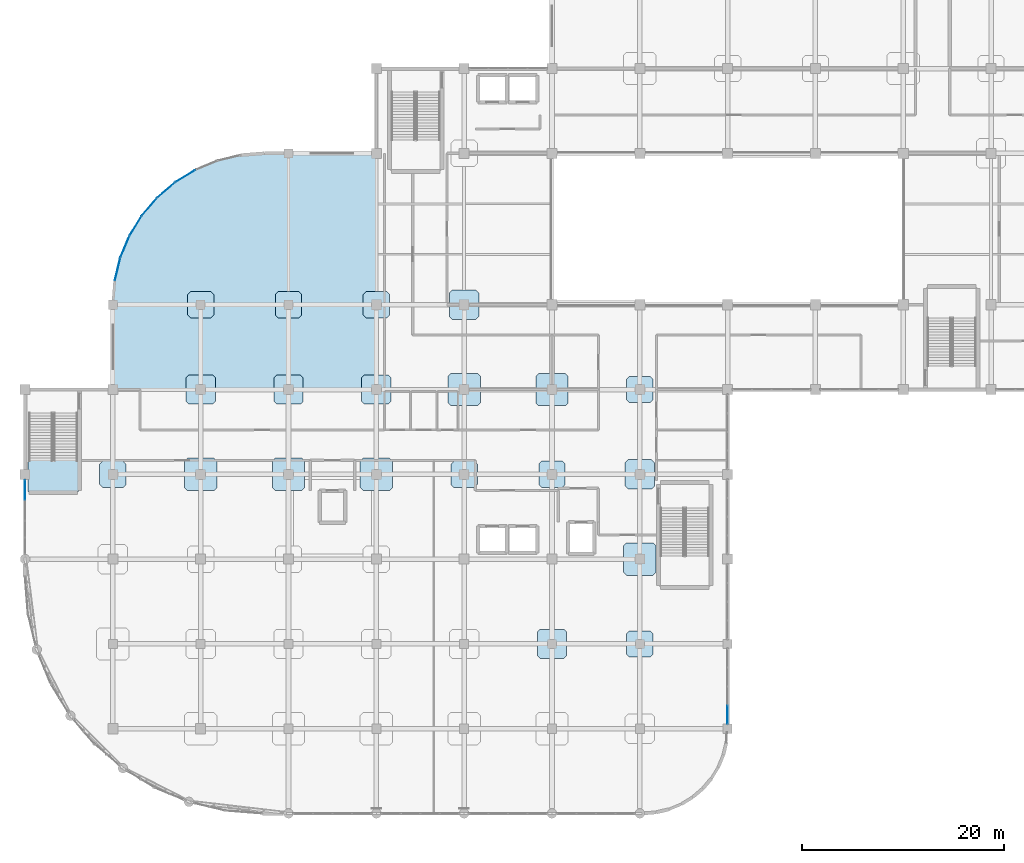
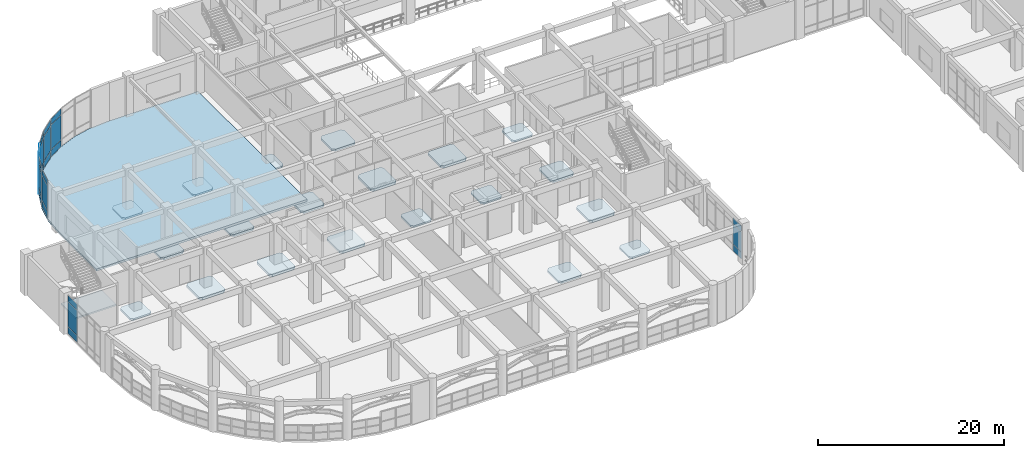
# One storey, part 81 of 114: 24 plates, 22 slabs, 9 elements without a shape of their own.
"""IFC4 building model written with IfcOpenShell, lengths in metres."""

from ifc_helpers import new_model, si_unit, derived_unit, direction, frame, origin, origin_2d, place, context, subcontext, project, spatial, polyline, rectangle, outline, extrude, material, layer, layer_set, type_object, element, aggregate, save


model = new_model("IFC4")

# Units and contexts
model_context = context("Model", 3, precision=1e-05, world=origin(), true_north=direction((0.0, 1.0)))
body_context = subcontext(model_context, "Body", "Model", "MODEL_VIEW")
ifc_project = project(units=[si_unit("LENGTHUNIT", "METRE"), si_unit("AREAUNIT", "SQUARE_METRE"), si_unit("VOLUMEUNIT", "CUBIC_METRE"), si_unit("PLANEANGLEUNIT", "RADIAN"), si_unit("MASSUNIT", "GRAM", prefix="KILO"), derived_unit("THERMALTRANSMITTANCEUNIT", [(si_unit("MASSUNIT", "GRAM", prefix="KILO"), 1), (si_unit("TIMEUNIT", "SECOND"), -3), (si_unit("THERMODYNAMICTEMPERATUREUNIT", "KELVIN"), -1)])], contexts=[model_context])

# Site, building, storey
site_placement = place(None, origin())
site = spatial("IfcSite", under=ifc_project, at=site_placement, CompositionType="ELEMENT")
building_placement = place(site_placement, origin())
building = spatial("IfcBuilding", under=site, at=building_placement, Name="Qinzheling Arcade Emporium", CompositionType="ELEMENT")
storey_placement = place(building_placement, frame((0.0, 0.0, 6.0)))
storey = spatial("IfcBuildingStorey", under=building, at=storey_placement, Name="L02", CompositionType="ELEMENT", Elevation=6.0)

# Slabs
ifc_material_1 = material(Name="Concrete C40", Category="concrete")
ifc_layer_1 = layer(ifc_material_1, 0.235107421875, Name="Concrete C40", Category="concrete")
ifc_layer_set_1 = layer_set([ifc_layer_1], Name="Concrete C40")
slab_type_1 = type_object("IfcSlabType", Name="Column Head Drop Panel 2600x2600x235 C40", PredefinedType="USERDEFINED", material=ifc_layer_set_1)
slab_1_placement = place(storey_placement, frame((0.0, 0.0, -0.514892578125)))
element("IfcSlab", 1, at=slab_1_placement, inside=storey, type_object=slab_type_1, Name="Column Drop Panel DP-L02-2-E", ObjectType="DROP_PANEL", PredefinedType="USERDEFINED", context=body_context, shape_type="SweptSolid", body=[
    extrude(outline(polyline([(7.679931640625, 32.300048828125), (9.719970703125, 32.300048828125), (10.0, 32.580078125), (10.0, 34.6201171875), (9.719970703125, 34.89990234375), (7.679931640625, 34.89990234375), (7.39990234375, 34.6201171875), (7.39990234375, 32.580078125), (7.679931640625, 32.300048828125)])), origin(), (0.0, 0.0, 1.0), 0.23486328125),
])
slab_2_placement = place(storey_placement, frame((0.0, 0.0, -0.514892578125)))
element("IfcSlab", 2, at=slab_2_placement, inside=storey, type_object=slab_type_1, Name="Column Drop Panel DP-L02-3-G", ObjectType="DROP_PANEL", PredefinedType="USERDEFINED", context=body_context, shape_type="SweptSolid", body=[
    extrude(outline(polyline([(16.3798828125, 49.10009765625), (18.419921875, 49.10009765625), (18.699951171875, 49.3798828125), (18.699951171875, 51.419921875), (18.419921875, 51.699951171875), (16.3798828125, 51.699951171875), (16.10009765625, 51.419921875), (16.10009765625, 49.3798828125), (16.3798828125, 49.10009765625)])), origin(), (0.0, 0.0, 1.0), 0.23486328125),
])
slab_3_placement = place(storey_placement, frame((0.0, 0.0, -0.514892578125)))
element("IfcSlab", 3, at=slab_3_placement, inside=storey, type_object=slab_type_1, Name="Column Drop Panel DP-L02-4-G", ObjectType="DROP_PANEL", PredefinedType="USERDEFINED", context=body_context, shape_type="SweptSolid", body=[
    extrude(outline(polyline([(25.080078125, 49.10009765625), (27.1201171875, 49.10009765625), (27.39990234375, 49.3798828125), (27.39990234375, 51.419921875), (27.1201171875, 51.699951171875), (25.080078125, 51.699951171875), (24.800048828125, 51.419921875), (24.800048828125, 49.3798828125), (25.080078125, 49.10009765625)])), origin(), (0.0, 0.0, 1.0), 0.23486328125),
])
slab_4_placement = place(storey_placement, frame((0.0, 0.0, -0.514892578125)))
element("IfcSlab", 4, at=slab_4_placement, inside=storey, type_object=slab_type_1, Name="Column Drop Panel DP-L02-5-G", ObjectType="DROP_PANEL", PredefinedType="USERDEFINED", context=body_context, shape_type="SweptSolid", body=[
    extrude(outline(polyline([(33.780029296875, 49.10009765625), (35.820068359375, 49.10009765625), (36.10009765625, 49.3798828125), (36.10009765625, 51.419921875), (35.820068359375, 51.699951171875), (33.780029296875, 51.699951171875), (33.5, 51.419921875), (33.5, 49.3798828125), (33.780029296875, 49.10009765625)])), origin(), (0.0, 0.0, 1.0), 0.23486328125),
])
slab_5_placement = place(storey_placement, frame((0.0, 0.0, -0.514892578125)))
element("IfcSlab", 5, at=slab_5_placement, inside=storey, type_object=slab_type_1, Name="Column Drop Panel DP-L02-6-E", ObjectType="DROP_PANEL", PredefinedType="USERDEFINED", context=body_context, shape_type="SweptSolid", body=[
    extrude(outline(polyline([(42.47998046875, 32.300048828125), (44.52001953125, 32.300048828125), (44.800048828125, 32.580078125), (44.800048828125, 34.6201171875), (44.52001953125, 34.89990234375), (42.47998046875, 34.89990234375), (42.199951171875, 34.6201171875), (42.199951171875, 32.580078125), (42.47998046875, 32.300048828125)])), origin(), (0.0, 0.0, 1.0), 0.23486328125),
])
slab_6_placement = place(storey_placement, frame((0.0, 0.0, -0.514892578125)))
element("IfcSlab", 6, at=slab_6_placement, inside=storey, type_object=slab_type_1, Name="Column Drop Panel DP-L02-7-E", ObjectType="DROP_PANEL", PredefinedType="USERDEFINED", context=body_context, shape_type="SweptSolid", body=[
    extrude(outline(polyline([(51.179931640625, 32.300048828125), (53.219970703125, 32.300048828125), (53.5, 32.580078125), (53.5, 34.6201171875), (53.219970703125, 34.89990234375), (51.179931640625, 34.89990234375), (50.89990234375, 34.6201171875), (50.89990234375, 32.580078125), (51.179931640625, 32.300048828125)])), origin(), (0.0, 0.0, 1.0), 0.23486328125),
])
slab_7_placement = place(storey_placement, frame((0.0, 0.0, -0.514892578125)))
element("IfcSlab", 7, at=slab_7_placement, inside=storey, type_object=slab_type_1, Name="Column Drop Panel DP-L02-8-C", ObjectType="DROP_PANEL", PredefinedType="USERDEFINED", context=body_context, shape_type="SweptSolid", body=[
    extrude(outline(polyline([(59.8798828125, 15.5), (61.919921875, 15.5), (62.199951171875, 15.780029296875), (62.199951171875, 17.820068359375), (61.919921875, 18.10009765625), (59.8798828125, 18.10009765625), (59.60009765625, 17.820068359375), (59.60009765625, 15.780029296875), (59.8798828125, 15.5)])), origin(), (0.0, 0.0, 1.0), 0.23486328125),
])
slab_8_placement = place(storey_placement, frame((0.0, 0.0, -0.514892578125)))
element("IfcSlab", 8, at=slab_8_placement, inside=storey, type_object=slab_type_1, Name="Column Drop Panel DP-L02-8-F", ObjectType="DROP_PANEL", PredefinedType="USERDEFINED", context=body_context, shape_type="SweptSolid", body=[
    extrude(outline(polyline([(59.8798828125, 40.699951171875), (61.919921875, 40.699951171875), (62.199951171875, 40.97998046875), (62.199951171875, 43.02001953125), (61.919921875, 43.300048828125), (59.8798828125, 43.300048828125), (59.60009765625, 43.02001953125), (59.60009765625, 40.97998046875), (59.8798828125, 40.699951171875)])), origin(), (0.0, 0.0, 1.0), 0.23486328125),
])
ifc_layer_2 = layer(ifc_material_1, 0.27001953125, Name="Concrete C40", Category="concrete")
ifc_layer_set_2 = layer_set([ifc_layer_2], Name="Concrete C40")
slab_type_2 = type_object("IfcSlabType", Name="Column Head Drop Panel 2900x2900x270 C40", PredefinedType="USERDEFINED", material=ifc_layer_set_2)
slab_9_placement = place(storey_placement, frame((0.0, 0.0, -0.550048828125)))
element("IfcSlab", 9, at=slab_9_placement, inside=storey, type_object=slab_type_2, Name="Column Drop Panel DP-L02-3-F", ObjectType="DROP_PANEL", PredefinedType="USERDEFINED", context=body_context, shape_type="SweptSolid", body=[
    extrude(outline(polyline([(16.22998046875, 40.550048828125), (18.570068359375, 40.550048828125), (18.85009765625, 40.830078125), (18.85009765625, 43.169921875), (18.570068359375, 43.449951171875), (16.22998046875, 43.449951171875), (15.949951171875, 43.169921875), (15.949951171875, 40.830078125), (16.22998046875, 40.550048828125)])), origin(), (0.0, 0.0, 1.0), 0.27001953125),
])
slab_10_placement = place(storey_placement, frame((0.0, 0.0, -0.550048828125)))
element("IfcSlab", 10, at=slab_10_placement, inside=storey, type_object=slab_type_2, Name="Column Drop Panel DP-L02-4-F", ObjectType="DROP_PANEL", PredefinedType="USERDEFINED", context=body_context, shape_type="SweptSolid", body=[
    extrude(outline(polyline([(24.929931640625, 40.550048828125), (27.27001953125, 40.550048828125), (27.550048828125, 40.830078125), (27.550048828125, 43.169921875), (27.27001953125, 43.449951171875), (24.929931640625, 43.449951171875), (24.64990234375, 43.169921875), (24.64990234375, 40.830078125), (24.929931640625, 40.550048828125)])), origin(), (0.0, 0.0, 1.0), 0.27001953125),
])
slab_11_placement = place(storey_placement, frame((0.0, 0.0, -0.550048828125)))
element("IfcSlab", 11, at=slab_11_placement, inside=storey, type_object=slab_type_2, Name="Column Drop Panel DP-L02-5-F", ObjectType="DROP_PANEL", PredefinedType="USERDEFINED", context=body_context, shape_type="SweptSolid", body=[
    extrude(outline(polyline([(33.6298828125, 40.550048828125), (35.969970703125, 40.550048828125), (36.25, 40.830078125), (36.25, 43.169921875), (35.969970703125, 43.449951171875), (33.6298828125, 43.449951171875), (33.35009765625, 43.169921875), (33.35009765625, 40.830078125), (33.6298828125, 40.550048828125)])), origin(), (0.0, 0.0, 1.0), 0.27001953125),
])
slab_12_placement = place(storey_placement, frame((0.0, 0.0, -0.550048828125)))
element("IfcSlab", 12, at=slab_12_placement, inside=storey, type_object=slab_type_2, Name="Column Drop Panel DP-L02-6-G", ObjectType="DROP_PANEL", PredefinedType="USERDEFINED", context=body_context, shape_type="SweptSolid", body=[
    extrude(outline(polyline([(42.330078125, 48.949951171875), (44.669921875, 48.949951171875), (44.949951171875, 49.22998046875), (44.949951171875, 51.570068359375), (44.669921875, 51.85009765625), (42.330078125, 51.85009765625), (42.050048828125, 51.570068359375), (42.050048828125, 49.22998046875), (42.330078125, 48.949951171875)])), origin(), (0.0, 0.0, 1.0), 0.27001953125),
])
slab_13_placement = place(storey_placement, frame((0.0, 0.0, -0.550048828125)))
element("IfcSlab", 13, at=slab_13_placement, inside=storey, type_object=slab_type_2, Name="Column Drop Panel DP-L02-7-C", ObjectType="DROP_PANEL", PredefinedType="USERDEFINED", context=body_context, shape_type="SweptSolid", body=[
    extrude(outline(polyline([(51.030029296875, 15.35009765625), (53.3701171875, 15.35009765625), (53.64990234375, 15.6298828125), (53.64990234375, 17.969970703125), (53.3701171875, 18.25), (51.030029296875, 18.25), (50.75, 17.969970703125), (50.75, 15.6298828125), (51.030029296875, 15.35009765625)])), origin(), (0.0, 0.0, 1.0), 0.27001953125),
])
slab_14_placement = place(storey_placement, frame((0.0, 0.0, -0.550048828125)))
element("IfcSlab", 14, at=slab_14_placement, inside=storey, type_object=slab_type_2, Name="Column Drop Panel DP-L02-8-E", ObjectType="DROP_PANEL", PredefinedType="USERDEFINED", context=body_context, shape_type="SweptSolid", body=[
    extrude(outline(polyline([(59.72998046875, 32.14990234375), (62.070068359375, 32.14990234375), (62.35009765625, 32.429931640625), (62.35009765625, 34.77001953125), (62.070068359375, 35.050048828125), (59.72998046875, 35.050048828125), (59.449951171875, 34.77001953125), (59.449951171875, 32.429931640625), (59.72998046875, 32.14990234375)])), origin(), (0.0, 0.0, 1.0), 0.27001953125),
])
ifc_layer_3 = layer(ifc_material_1, 0.300048828125, Name="Concrete C40", Category="concrete")
ifc_layer_set_3 = layer_set([ifc_layer_3], Name="Concrete C40")
slab_type_3 = type_object("IfcSlabType", Name="Column Head Drop Panel 3200x3200x300 C40", PredefinedType="USERDEFINED", material=ifc_layer_set_3)
slab_15_placement = place(storey_placement, frame((0.0, 0.0, -0.580078125)))
element("IfcSlab", 15, at=slab_15_placement, inside=storey, type_object=slab_type_3, Name="Column Drop Panel DP-L02-3-E", ObjectType="DROP_PANEL", PredefinedType="USERDEFINED", context=body_context, shape_type="SweptSolid", body=[
    extrude(outline(polyline([(16.080078125, 32.0), (18.719970703125, 32.0), (19.0, 32.280029296875), (19.0, 34.919921875), (18.719970703125, 35.199951171875), (16.080078125, 35.199951171875), (15.800048828125, 34.919921875), (15.800048828125, 32.280029296875), (16.080078125, 32.0)])), origin(), (0.0, 0.0, 1.0), 0.300048828125),
])
slab_16_placement = place(storey_placement, frame((0.0, 0.0, -0.580078125)))
element("IfcSlab", 16, at=slab_16_placement, inside=storey, type_object=slab_type_3, Name="Column Drop Panel DP-L02-4-E", ObjectType="DROP_PANEL", PredefinedType="USERDEFINED", context=body_context, shape_type="SweptSolid", body=[
    extrude(outline(polyline([(24.780029296875, 32.0), (27.419921875, 32.0), (27.699951171875, 32.280029296875), (27.699951171875, 34.919921875), (27.419921875, 35.199951171875), (24.780029296875, 35.199951171875), (24.5, 34.919921875), (24.5, 32.280029296875), (24.780029296875, 32.0)])), origin(), (0.0, 0.0, 1.0), 0.300048828125),
])
slab_17_placement = place(storey_placement, frame((0.0, 0.0, -0.580078125)))
element("IfcSlab", 17, at=slab_17_placement, inside=storey, type_object=slab_type_3, Name="Column Drop Panel DP-L02-5-E", ObjectType="DROP_PANEL", PredefinedType="USERDEFINED", context=body_context, shape_type="SweptSolid", body=[
    extrude(outline(polyline([(33.47998046875, 32.0), (36.1201171875, 32.0), (36.39990234375, 32.280029296875), (36.39990234375, 34.919921875), (36.1201171875, 35.199951171875), (33.47998046875, 35.199951171875), (33.199951171875, 34.919921875), (33.199951171875, 32.280029296875), (33.47998046875, 32.0)])), origin(), (0.0, 0.0, 1.0), 0.300048828125),
])
slab_18_placement = place(storey_placement, frame((0.0, 0.0, -0.580078125)))
element("IfcSlab", 18, at=slab_18_placement, inside=storey, type_object=slab_type_3, Name="Column Drop Panel DP-L02-6-F", ObjectType="DROP_PANEL", PredefinedType="USERDEFINED", context=body_context, shape_type="SweptSolid", body=[
    extrude(outline(polyline([(42.179931640625, 40.39990234375), (44.820068359375, 40.39990234375), (45.10009765625, 40.679931640625), (45.10009765625, 43.320068359375), (44.820068359375, 43.60009765625), (42.179931640625, 43.60009765625), (41.89990234375, 43.320068359375), (41.89990234375, 40.679931640625), (42.179931640625, 40.39990234375)])), origin(), (0.0, 0.0, 1.0), 0.300048828125),
])
slab_19_placement = place(storey_placement, frame((0.0, 0.0, -0.580078125)))
element("IfcSlab", 19, at=slab_19_placement, inside=storey, type_object=slab_type_3, Name="Column Drop Panel DP-L02-7-F", ObjectType="DROP_PANEL", PredefinedType="USERDEFINED", context=body_context, shape_type="SweptSolid", body=[
    extrude(outline(polyline([(50.8798828125, 40.39990234375), (53.52001953125, 40.39990234375), (53.800048828125, 40.679931640625), (53.800048828125, 43.320068359375), (53.52001953125, 43.60009765625), (50.8798828125, 43.60009765625), (50.60009765625, 43.320068359375), (50.60009765625, 40.679931640625), (50.8798828125, 40.39990234375)])), origin(), (0.0, 0.0, 1.0), 0.300048828125),
])
slab_20_placement = place(storey_placement, frame((0.0, 0.0, -0.580078125)))
element("IfcSlab", 20, at=slab_20_placement, inside=storey, type_object=slab_type_3, Name="Column Drop Panel DP-L02-8-D", ObjectType="DROP_PANEL", PredefinedType="USERDEFINED", context=body_context, shape_type="SweptSolid", body=[
    extrude(outline(polyline([(59.580078125, 23.60009765625), (62.219970703125, 23.60009765625), (62.5, 23.8798828125), (62.5, 26.52001953125), (62.219970703125, 26.800048828125), (59.580078125, 26.800048828125), (59.300048828125, 26.52001953125), (59.300048828125, 23.8798828125), (59.580078125, 23.60009765625)])), origin(), (0.0, 0.0, 1.0), 0.300048828125),
])

# Curtain wall, plates
ifc_material_2 = material(Name="Anodised aluminium and solar-control double glazing", Category="aluminium")
ifc_layer_4 = layer(ifc_material_2, 0.159912109375, Name="Anodised aluminium and solar-control double glazing", Category="aluminium")
ifc_layer_set_4 = layer_set([ifc_layer_4], Name="Anodised aluminium and solar-control double glazing")
curtain_wall_type_1 = type_object("IfcCurtainWallType", Name="Arcade Portal Glazed Curtain Wall", PredefinedType="NOTDEFINED", material=ifc_layer_set_4)
curtain_wall_1_placement = place(storey_placement, origin())
curtain_wall_1 = element("IfcCurtainWall", 21, at=curtain_wall_1_placement, inside=storey, type_object=curtain_wall_type_1, Name="Curtain Wall CW-L02-068", PredefinedType="NOTDEFINED")
ifc_material_3 = material(Name="Laminated solar-control double glazing", Category="glass")
ifc_layer_5 = layer(ifc_material_3, 0.027099609375, Name="Laminated solar-control double glazing", Category="glass")
ifc_layer_set_5 = layer_set([ifc_layer_5], Name="Laminated solar-control double glazing")
plate_type_1 = type_object("IfcPlateType", Name="Low-E Double Glazed Curtain Panel 27mm", PredefinedType="CURTAIN_PANEL", material=ifc_layer_set_5)
plate_1_placement = place(storey_placement, frame((69.60009765625, 9.803955078125, 0.06005859375), z_axis=(0.0, 0.0, 1.0), x_axis=(0.0, -1.0, 0.0)))
plate_1 = element("IfcPlate", 22, at=plate_1_placement, type_object=plate_type_1, Name="CW05 panel 4.1", PredefinedType="CURTAIN_PANEL", context=body_context, shape_type="SweptSolid", body=[
    extrude(rectangle(XDim=1.783935546875, YDim=0.027099609375, at=origin_2d()), origin(), (0.0, 0.0, 1.0), 0.860107421875),
])
plate_2_placement = place(storey_placement, frame((69.60009765625, 9.803955078125, 0.97998046875), z_axis=(0.0, 0.0, 1.0), x_axis=(0.0, -1.0, 0.0)))
plate_2 = element("IfcPlate", 23, at=plate_2_placement, type_object=plate_type_1, Name="CW05 panel 4.2", PredefinedType="CURTAIN_PANEL", context=body_context, shape_type="SweptSolid", body=[
    extrude(rectangle(XDim=1.783935546875, YDim=0.027099609375, at=origin_2d()), origin(), (0.0, 0.0, 1.0), 2.594970703125),
])
plate_3_placement = place(storey_placement, frame((69.60009765625, 9.803955078125, 3.634765625), z_axis=(0.0, 0.0, 1.0), x_axis=(0.0, -1.0, 0.0)))
plate_3 = element("IfcPlate", 24, at=plate_3_placement, type_object=plate_type_1, Name="CW05 panel 4.3", PredefinedType="CURTAIN_PANEL", context=body_context, shape_type="SweptSolid", body=[
    extrude(rectangle(XDim=1.783935546875, YDim=0.027099609375, at=origin_2d()), origin(), (0.0, 0.0, 1.0), 0.760009765625),
])
aggregate(curtain_wall_1, [plate_1, plate_2, plate_3])

curtain_wall_2_placement = place(storey_placement, origin())
curtain_wall_2 = element("IfcCurtainWall", 25, at=curtain_wall_2_placement, inside=storey, type_object=curtain_wall_type_1, Name="Curtain Wall CW-L02-084", PredefinedType="NOTDEFINED")
plate_4_placement = place(storey_placement, frame((0.0, 32.05859375, 0.06005859375), z_axis=(0.0, 0.0, 1.0), x_axis=(0.0, 1.0, 0.0)))
plate_4 = element("IfcPlate", 26, at=plate_4_placement, type_object=plate_type_1, Name="CW05 panel 2.1", PredefinedType="CURTAIN_PANEL", context=body_context, shape_type="SweptSolid", body=[
    extrude(rectangle(XDim=1.958984375, YDim=0.027099609375, at=origin_2d()), origin(), (0.0, 0.0, 1.0), 0.860107421875),
])
plate_5_placement = place(storey_placement, frame((0.0, 32.05859375, 0.97998046875), z_axis=(0.0, 0.0, 1.0), x_axis=(0.0, 1.0, 0.0)))
plate_5 = element("IfcPlate", 27, at=plate_5_placement, type_object=plate_type_1, Name="CW05 panel 2.2", PredefinedType="CURTAIN_PANEL", context=body_context, shape_type="SweptSolid", body=[
    extrude(rectangle(XDim=1.958984375, YDim=0.027099609375, at=origin_2d()), origin(), (0.0, 0.0, 1.0), 3.22998046875),
])
plate_6_placement = place(storey_placement, frame((0.0, 32.05859375, 4.27001953125), z_axis=(0.0, 0.0, 1.0), x_axis=(0.0, 1.0, 0.0)))
plate_6 = element("IfcPlate", 28, at=plate_6_placement, type_object=plate_type_1, Name="CW05 panel 2.3", PredefinedType="CURTAIN_PANEL", context=body_context, shape_type="SweptSolid", body=[
    extrude(rectangle(XDim=1.958984375, YDim=0.027099609375, at=origin_2d()), origin(), (0.0, 0.0, 1.0), 0.760009765625),
])
aggregate(curtain_wall_2, [plate_4, plate_5, plate_6])

ifc_layer_6 = layer(ifc_material_2, 0.159912109375, Name="Anodised aluminium and solar-control double glazing", Category="aluminium")
ifc_layer_set_6 = layer_set([ifc_layer_6], Name="Anodised aluminium and solar-control double glazing")
curtain_wall_type_2 = type_object("IfcCurtainWallType", Name="Curved Ribbon Sales Curtain Wall", PredefinedType="NOTDEFINED", material=ifc_layer_set_6)
curtain_wall_3_placement = place(storey_placement, origin())
curtain_wall_3 = element("IfcCurtainWall", 29, at=curtain_wall_3_placement, inside=storey, type_object=curtain_wall_type_2, Name="Curtain Wall CW-L02-085", PredefinedType="NOTDEFINED")
ifc_layer_7 = layer(ifc_material_3, 0.028076171875, Name="Laminated solar-control double glazing", Category="glass")
ifc_layer_set_7 = layer_set([ifc_layer_7], Name="Laminated solar-control double glazing")
plate_type_2 = type_object("IfcPlateType", Name="Low-E Double Glazed Curtain Panel 28mm", PredefinedType="CURTAIN_PANEL", material=ifc_layer_set_7)
plate_7_placement = place(storey_placement, frame((9.159423828125, 53.89111328125, 0.06005859375), z_axis=(0.0, 0.0, 1.0), x_axis=(0.233324729854, 0.972398874145, 0.0)))
plate_7 = element("IfcPlate", 30, at=plate_7_placement, type_object=plate_type_2, Name="CW02 panel 1.1", PredefinedType="CURTAIN_PANEL", context=body_context, shape_type="SweptSolid", body=[
    extrude(rectangle(XDim=2.23291015625, YDim=0.028076171875, at=origin_2d()), origin(), (0.0, 0.0, 1.0), 0.860107421875),
])
plate_8_placement = place(storey_placement, frame((9.159423828125, 53.89111328125, 0.97998046875), z_axis=(0.0, 0.0, 1.0), x_axis=(0.233324729854, 0.972398874145, 0.0)))
plate_8 = element("IfcPlate", 31, at=plate_8_placement, type_object=plate_type_2, Name="CW02 panel 1.2", PredefinedType="CURTAIN_PANEL", context=body_context, shape_type="SweptSolid", body=[
    extrude(rectangle(XDim=2.23291015625, YDim=0.028076171875, at=origin_2d()), origin(), (0.0, 0.0, 1.0), 3.22998046875),
])
plate_9_placement = place(storey_placement, frame((9.159423828125, 53.89111328125, 4.27001953125), z_axis=(0.0, 0.0, 1.0), x_axis=(0.233324729854, 0.972398874145, 0.0)))
plate_9 = element("IfcPlate", 32, at=plate_9_placement, type_object=plate_type_2, Name="CW02 panel 1.3", PredefinedType="CURTAIN_PANEL", context=body_context, shape_type="SweptSolid", body=[
    extrude(rectangle(XDim=2.23291015625, YDim=0.028076171875, at=origin_2d()), origin(), (0.0, 0.0, 1.0), 0.760009765625),
])
aggregate(curtain_wall_3, [plate_7, plate_8, plate_9])

curtain_wall_4_placement = place(storey_placement, origin())
curtain_wall_4 = element("IfcCurtainWall", 33, at=curtain_wall_4_placement, inside=storey, type_object=curtain_wall_type_2, Name="Curtain Wall CW-L02-086", PredefinedType="NOTDEFINED")
ifc_layer_8 = layer(ifc_material_3, 0.029052734375, Name="Laminated solar-control double glazing", Category="glass")
ifc_layer_set_8 = layer_set([ifc_layer_8], Name="Laminated solar-control double glazing")
plate_type_3 = type_object("IfcPlateType", Name="Low-E Double Glazed Curtain Panel 29mm", PredefinedType="CURTAIN_PANEL", material=ifc_layer_set_8)
plate_10_placement = place(storey_placement, frame((9.884521484375, 56.12255859375, 0.06005859375), z_axis=(0.0, 0.0, 1.0), x_axis=(0.382714431752, 0.923866691535, 0.0)))
plate_10 = element("IfcPlate", 34, at=plate_10_placement, type_object=plate_type_3, Name="CW02 panel 1.1", PredefinedType="CURTAIN_PANEL", context=body_context, shape_type="SweptSolid", body=[
    extrude(rectangle(XDim=2.234130859375, YDim=0.029052734375, at=origin_2d()), origin(), (0.0, 0.0, 1.0), 0.860107421875),
])
plate_11_placement = place(storey_placement, frame((9.884521484375, 56.12255859375, 0.97998046875), z_axis=(0.0, 0.0, 1.0), x_axis=(0.382714431752, 0.923866691535, 0.0)))
plate_11 = element("IfcPlate", 35, at=plate_11_placement, type_object=plate_type_3, Name="CW02 panel 1.2", PredefinedType="CURTAIN_PANEL", context=body_context, shape_type="SweptSolid", body=[
    extrude(rectangle(XDim=2.234130859375, YDim=0.029052734375, at=origin_2d()), origin(), (0.0, 0.0, 1.0), 3.22998046875),
])
plate_12_placement = place(storey_placement, frame((9.884521484375, 56.12255859375, 4.27001953125), z_axis=(0.0, 0.0, 1.0), x_axis=(0.382714431752, 0.923866691535, 0.0)))
plate_12 = element("IfcPlate", 36, at=plate_12_placement, type_object=plate_type_3, Name="CW02 panel 1.3", PredefinedType="CURTAIN_PANEL", context=body_context, shape_type="SweptSolid", body=[
    extrude(rectangle(XDim=2.234130859375, YDim=0.029052734375, at=origin_2d()), origin(), (0.0, 0.0, 1.0), 0.760009765625),
])
aggregate(curtain_wall_4, [plate_10, plate_11, plate_12])

curtain_wall_5_placement = place(storey_placement, origin())
curtain_wall_5 = element("IfcCurtainWall", 37, at=curtain_wall_5_placement, inside=storey, type_object=curtain_wall_type_2, Name="Curtain Wall CW-L02-087", PredefinedType="NOTDEFINED")
ifc_layer_9 = layer(ifc_material_3, 0.030029296875, Name="Laminated solar-control double glazing", Category="glass")
ifc_layer_set_9 = layer_set([ifc_layer_9], Name="Laminated solar-control double glazing")
plate_type_4 = type_object("IfcPlateType", Name="Low-E Double Glazed Curtain Panel 30mm", PredefinedType="CURTAIN_PANEL", material=ifc_layer_set_9)
plate_13_placement = place(storey_placement, frame((10.949951171875, 58.21337890625, 0.06005859375), z_axis=(0.0, 0.0, 1.0), x_axis=(0.522532172191, 0.852619568756, 0.0)))
plate_13 = element("IfcPlate", 38, at=plate_13_placement, type_object=plate_type_4, Name="CW02 panel 1.1", PredefinedType="CURTAIN_PANEL", context=body_context, shape_type="SweptSolid", body=[
    extrude(rectangle(XDim=2.23388671875, YDim=0.030029296875, at=origin_2d()), origin(), (0.0, 0.0, 1.0), 0.860107421875),
])
plate_14_placement = place(storey_placement, frame((10.949951171875, 58.21337890625, 0.97998046875), z_axis=(0.0, 0.0, 1.0), x_axis=(0.522532172191, 0.852619568756, 0.0)))
plate_14 = element("IfcPlate", 39, at=plate_14_placement, type_object=plate_type_4, Name="CW02 panel 1.2", PredefinedType="CURTAIN_PANEL", context=body_context, shape_type="SweptSolid", body=[
    extrude(rectangle(XDim=2.23388671875, YDim=0.030029296875, at=origin_2d()), origin(), (0.0, 0.0, 1.0), 3.22998046875),
])
plate_15_placement = place(storey_placement, frame((10.949951171875, 58.21337890625, 4.27001953125), z_axis=(0.0, 0.0, 1.0), x_axis=(0.522532172191, 0.852619568756, 0.0)))
plate_15 = element("IfcPlate", 40, at=plate_15_placement, type_object=plate_type_4, Name="CW02 panel 1.3", PredefinedType="CURTAIN_PANEL", context=body_context, shape_type="SweptSolid", body=[
    extrude(rectangle(XDim=2.23388671875, YDim=0.030029296875, at=origin_2d()), origin(), (0.0, 0.0, 1.0), 0.760009765625),
])
aggregate(curtain_wall_5, [plate_13, plate_14, plate_15])

curtain_wall_6_placement = place(storey_placement, origin())
curtain_wall_6 = element("IfcCurtainWall", 41, at=curtain_wall_6_placement, inside=storey, type_object=curtain_wall_type_2, Name="Curtain Wall CW-L02-088", PredefinedType="NOTDEFINED")
ifc_layer_10 = layer(ifc_material_3, 0.031005859375, Name="Laminated solar-control double glazing", Category="glass")
ifc_layer_set_10 = layer_set([ifc_layer_10], Name="Laminated solar-control double glazing")
plate_type_5 = type_object("IfcPlateType", Name="Low-E Double Glazed Curtain Panel 31mm", PredefinedType="CURTAIN_PANEL", material=ifc_layer_set_10)
plate_16_placement = place(storey_placement, frame((12.3291015625, 60.112060546875, 0.06005859375), z_axis=(0.0, 0.0, 1.0), x_axis=(0.649250390185, 0.760574737185, 0.0)))
plate_16 = element("IfcPlate", 42, at=plate_16_placement, type_object=plate_type_5, Name="CW02 panel 1.1", PredefinedType="CURTAIN_PANEL", context=body_context, shape_type="SweptSolid", body=[
    extrude(rectangle(XDim=2.2333984375, YDim=0.031005859375, at=origin_2d()), origin(), (0.0, 0.0, 1.0), 0.860107421875),
])
plate_17_placement = place(storey_placement, frame((12.3291015625, 60.112060546875, 0.97998046875), z_axis=(0.0, 0.0, 1.0), x_axis=(0.649250390185, 0.760574737185, 0.0)))
plate_17 = element("IfcPlate", 43, at=plate_17_placement, type_object=plate_type_5, Name="CW02 panel 1.2", PredefinedType="CURTAIN_PANEL", context=body_context, shape_type="SweptSolid", body=[
    extrude(rectangle(XDim=2.2333984375, YDim=0.031005859375, at=origin_2d()), origin(), (0.0, 0.0, 1.0), 3.22998046875),
])
plate_18_placement = place(storey_placement, frame((12.3291015625, 60.112060546875, 4.27001953125), z_axis=(0.0, 0.0, 1.0), x_axis=(0.649250390185, 0.760574737185, 0.0)))
plate_18 = element("IfcPlate", 44, at=plate_18_placement, type_object=plate_type_5, Name="CW02 panel 1.3", PredefinedType="CURTAIN_PANEL", context=body_context, shape_type="SweptSolid", body=[
    extrude(rectangle(XDim=2.2333984375, YDim=0.031005859375, at=origin_2d()), origin(), (0.0, 0.0, 1.0), 0.760009765625),
])
aggregate(curtain_wall_6, [plate_16, plate_17, plate_18])

curtain_wall_7_placement = place(storey_placement, origin())
curtain_wall_7 = element("IfcCurtainWall", 45, at=curtain_wall_7_placement, inside=storey, type_object=curtain_wall_type_2, Name="Curtain Wall CW-L02-089", PredefinedType="NOTDEFINED")
ifc_layer_11 = layer(ifc_material_3, 0.031982421875, Name="Laminated solar-control double glazing", Category="glass")
ifc_layer_set_11 = layer_set([ifc_layer_11], Name="Laminated solar-control double glazing")
plate_type_6 = type_object("IfcPlateType", Name="Low-E Double Glazed Curtain Panel 32mm", PredefinedType="CURTAIN_PANEL", material=ifc_layer_set_11)
plate_19_placement = place(storey_placement, frame((13.988037109375, 61.77099609375, 0.06005859375), z_axis=(0.0, 0.0, 1.0), x_axis=(0.760574737185, 0.649250390185, 0.0)))
plate_19 = element("IfcPlate", 46, at=plate_19_placement, type_object=plate_type_6, Name="CW02 panel 1.1", PredefinedType="CURTAIN_PANEL", context=body_context, shape_type="SweptSolid", body=[
    extrude(rectangle(XDim=2.2333984375, YDim=0.031982421875, at=origin_2d()), origin(), (0.0, 0.0, 1.0), 0.860107421875),
])
plate_20_placement = place(storey_placement, frame((13.988037109375, 61.77099609375, 0.97998046875), z_axis=(0.0, 0.0, 1.0), x_axis=(0.760574737185, 0.649250390185, 0.0)))
plate_20 = element("IfcPlate", 47, at=plate_20_placement, type_object=plate_type_6, Name="CW02 panel 1.2", PredefinedType="CURTAIN_PANEL", context=body_context, shape_type="SweptSolid", body=[
    extrude(rectangle(XDim=2.2333984375, YDim=0.031982421875, at=origin_2d()), origin(), (0.0, 0.0, 1.0), 3.22998046875),
])
plate_21_placement = place(storey_placement, frame((13.988037109375, 61.77099609375, 4.27001953125), z_axis=(0.0, 0.0, 1.0), x_axis=(0.760574737185, 0.649250390185, 0.0)))
plate_21 = element("IfcPlate", 48, at=plate_21_placement, type_object=plate_type_6, Name="CW02 panel 1.3", PredefinedType="CURTAIN_PANEL", context=body_context, shape_type="SweptSolid", body=[
    extrude(rectangle(XDim=2.2333984375, YDim=0.031982421875, at=origin_2d()), origin(), (0.0, 0.0, 1.0), 0.760009765625),
])
aggregate(curtain_wall_7, [plate_19, plate_20, plate_21])

curtain_wall_8_placement = place(storey_placement, origin())
curtain_wall_8 = element("IfcCurtainWall", 49, at=curtain_wall_8_placement, inside=storey, type_object=curtain_wall_type_2, Name="Curtain Wall CW-L02-090", PredefinedType="NOTDEFINED")
ifc_layer_12 = layer(ifc_material_3, 0.033935546875, Name="Laminated solar-control double glazing", Category="glass")
ifc_layer_set_12 = layer_set([ifc_layer_12], Name="Laminated solar-control double glazing")
plate_type_7 = type_object("IfcPlateType", Name="Low-E Double Glazed Curtain Panel 34mm", PredefinedType="CURTAIN_PANEL", material=ifc_layer_set_12)
plate_22_placement = place(storey_placement, frame((15.886474609375, 63.14990234375, 0.06005859375), z_axis=(0.0, 0.0, 1.0), x_axis=(0.852619568756, 0.522532172191, 0.0)))
plate_22 = element("IfcPlate", 50, at=plate_22_placement, type_object=plate_type_7, Name="CW02 panel 1.1", PredefinedType="CURTAIN_PANEL", context=body_context, shape_type="SweptSolid", body=[
    extrude(rectangle(XDim=2.23388671875, YDim=0.033935546875, at=origin_2d()), origin(), (0.0, 0.0, 1.0), 0.860107421875),
])
plate_23_placement = place(storey_placement, frame((15.886474609375, 63.14990234375, 0.97998046875), z_axis=(0.0, 0.0, 1.0), x_axis=(0.852619568756, 0.522532172191, 0.0)))
plate_23 = element("IfcPlate", 51, at=plate_23_placement, type_object=plate_type_7, Name="CW02 panel 1.2", PredefinedType="CURTAIN_PANEL", context=body_context, shape_type="SweptSolid", body=[
    extrude(rectangle(XDim=2.23388671875, YDim=0.033935546875, at=origin_2d()), origin(), (0.0, 0.0, 1.0), 3.22998046875),
])
plate_24_placement = place(storey_placement, frame((15.886474609375, 63.14990234375, 4.27001953125), z_axis=(0.0, 0.0, 1.0), x_axis=(0.852619568756, 0.522532172191, 0.0)))
plate_24 = element("IfcPlate", 52, at=plate_24_placement, type_object=plate_type_7, Name="CW02 panel 1.3", PredefinedType="CURTAIN_PANEL", context=body_context, shape_type="SweptSolid", body=[
    extrude(rectangle(XDim=2.23388671875, YDim=0.033935546875, at=origin_2d()), origin(), (0.0, 0.0, 1.0), 0.760009765625),
])
aggregate(curtain_wall_8, [plate_22, plate_23, plate_24])

# Slab
ifc_layer_13 = layer(ifc_material_1, 0.280029296875, Name="Concrete C40", Category="concrete")
ifc_layer_set_13 = layer_set([ifc_layer_13], Name="Concrete C40")
slab_type_4 = type_object("IfcSlabType", Name="Retail Two-Way Flat Slab 280 C40", PredefinedType="FLOOR", material=ifc_layer_set_13)
slab_21_placement = place(storey_placement, frame((0.0, 0.0, -0.280029296875)))
element("IfcSlab", 53, at=slab_21_placement, inside=storey, type_object=slab_type_4, Name="Floor Slab SLB-L02-V1W", PredefinedType="FLOOR", context=body_context, shape_type="SweptSolid", body=[
    extrude(outline(polyline([(8.699951171875, 50.39990234375), (8.699951171875, 42.0), (34.800048828125, 42.0), (34.800048828125, 65.39990234375), (23.699951171875, 65.39990234375), (21.35302734375, 65.215087890625), (19.06494140625, 64.666015625), (16.889892578125, 63.764892578125), (14.883056640625, 62.534912109375), (13.093017578125, 61.007080078125), (11.56494140625, 59.217041015625), (10.3349609375, 57.2099609375), (9.43408203125, 55.034912109375), (8.885009765625, 52.7470703125), (8.699951171875, 50.39990234375)])), origin(), (0.0, 0.0, 1.0), 0.280029296875),
])

# Stair, slab
stair_type = type_object("IfcStairType", Name="Cast-in-Situ Dog-Leg Escape Stair H5400", PredefinedType="HALF_TURN_STAIR", material=ifc_material_1)
stair_placement = place(storey_placement, origin())
stair = element("IfcStair", 54, at=stair_placement, inside=storey, type_object=stair_type, Name="L02 ST02", PredefinedType="HALF_TURN_STAIR")
ifc_layer_14 = layer(ifc_material_1, 0.199951171875, Name="Concrete C40", Category="concrete")
ifc_layer_set_14 = layer_set([ifc_layer_14], Name="Concrete C40")
slab_type_5 = type_object("IfcSlabType", Name="Stair Half-Turn Landing Slab 200 C40", PredefinedType="LANDING", material=ifc_layer_set_14)
slab_22_placement = place(storey_placement, frame((0.0, 0.0, 2.5)))
slab_22 = element("IfcSlab", 55, at=slab_22_placement, type_object=slab_type_5, Name="ST02 landing 1", PredefinedType="LANDING", context=body_context, shape_type="SweptSolid", body=[
    extrude(outline(polyline([(0.280029296875, 35.0400390625), (5.31005859375, 35.0400390625), (5.31005859375, 31.8798828125), (0.280029296875, 31.8798828125), (0.280029296875, 35.0400390625)])), origin(), (0.0, 0.0, 1.0), 0.199951171875),
])
aggregate(stair, [slab_22])

save(model, "model.ifc")
